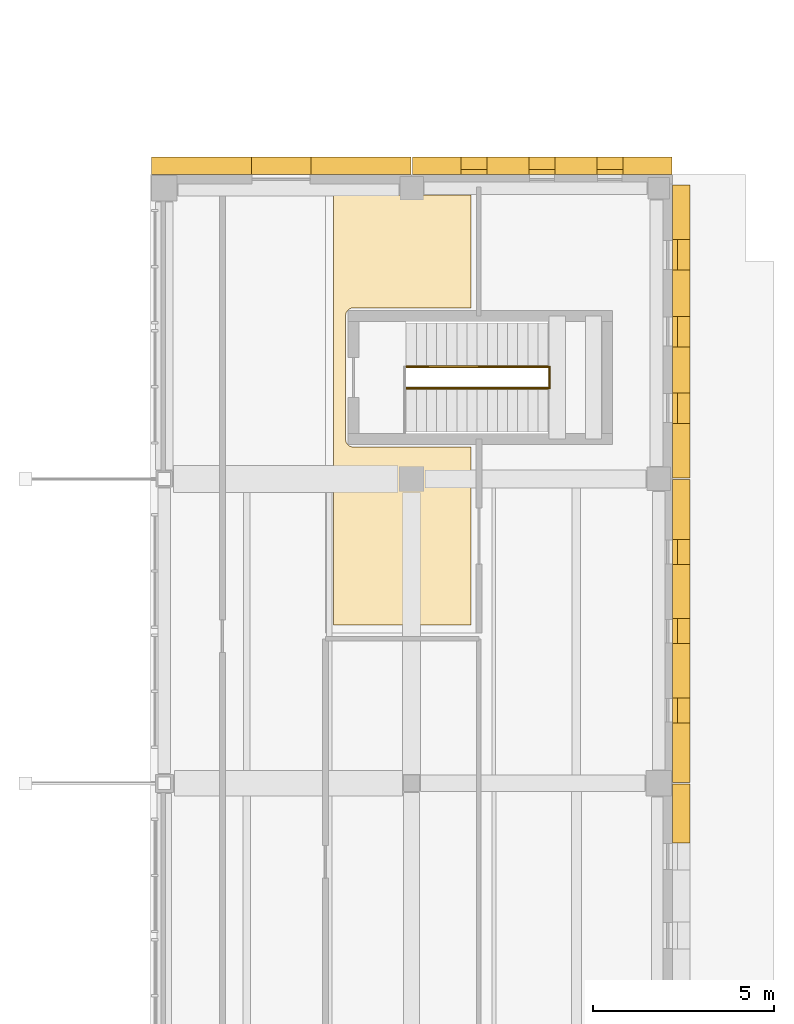
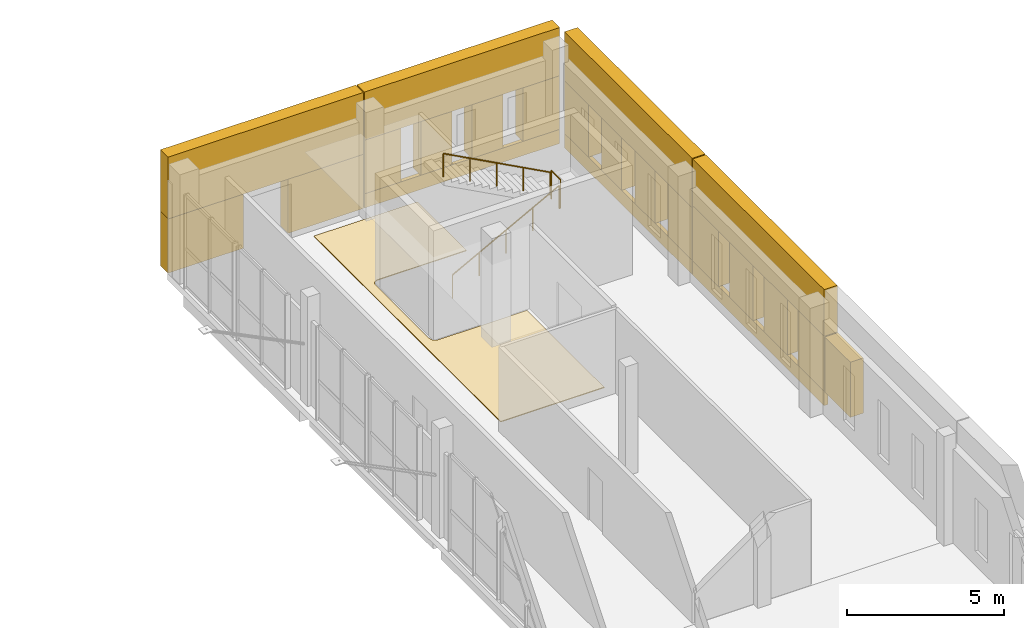
# One storey, part 77 of 77: 23 coverings, 3 railings.
"""IFC4 building model written with IfcOpenShell, lengths in metres."""

from ifc_helpers import new_model, si_unit, direction, frame, origin, origin_2d, place, context, subcontext, project, spatial, polyline, circle, outline, extrude, material, layer, layer_set, type_object, element, save


model = new_model("IFC4")

# Units and contexts
model_context = context("Model", 3, precision=1e-05, world=origin(), true_north=direction((0.0, 1.0)))
body_context = subcontext(model_context, "Body", "Model", "MODEL_VIEW")
ifc_project = project(units=[si_unit("LENGTHUNIT", "METRE"), si_unit("AREAUNIT", "SQUARE_METRE"), si_unit("VOLUMEUNIT", "CUBIC_METRE"), si_unit("PLANEANGLEUNIT", "RADIAN"), si_unit("MASSUNIT", "GRAM", prefix="KILO")], contexts=[model_context])

# Site, building, storey
site_placement = place(None, origin())
site = spatial("IfcSite", under=ifc_project, at=site_placement, CompositionType="ELEMENT")
building_placement = place(site_placement, origin())
building = spatial("IfcBuilding", under=site, at=building_placement, Name="Vardoun Plaza Health Centre", CompositionType="ELEMENT")
storey_placement = place(building_placement, origin())
storey = spatial("IfcBuildingStorey", under=building, at=storey_placement, Name="L00", CompositionType="ELEMENT", Elevation=0.0)

# Coverings
ifc_material_1 = material(Name="Pale Limestone Concrete C35/45", Category="masonry")
ifc_layer_1 = layer(ifc_material_1, 0.080078125)
ifc_layer_set_1 = layer_set([ifc_layer_1], Name="Pale Limestone Concrete C35/45")
covering_type_1 = type_object("IfcCoveringType", Name="CL-EXT1", PredefinedType="CLADDING", material=ifc_layer_set_1)
covering_1_placement = place(storey_placement, frame((0.0, 0.0, 2.10009765625)))
element("IfcCovering", 1, at=covering_1_placement, inside=storey, type_object=covering_type_1, Name="V6 L00 Sculpted Concrete Eyebrow Hood 1241", PredefinedType="CLADDING", context=body_context, shape_type="SweptSolid", body=[
    extrude(outline(polyline([(150.919921875, 86.699951171875), (158.080078125, 86.699951171875), (158.080078125, 87.179931640625), (150.919921875, 87.179931640625), (150.919921875, 86.699951171875)])), origin(), (0.0, 0.0, 1.0), 2.39990234375),
])
covering_2_placement = place(storey_placement, origin())
element("IfcCovering", 2, at=covering_2_placement, inside=storey, type_object=covering_type_1, Name="V6 L00 Deep-Punched Slot Concrete Reveal Pier 1242", PredefinedType="CLADDING", context=body_context, shape_type="SweptSolid", body=[
    extrude(outline(polyline([(150.919921875, 86.699951171875), (153.679931640625, 86.699951171875), (153.679931640625, 87.179931640625), (150.919921875, 87.179931640625), (150.919921875, 86.699951171875)])), origin(), (0.0, 0.0, 1.0), 2.10009765625),
])
covering_3_placement = place(storey_placement, origin())
element("IfcCovering", 3, at=covering_3_placement, inside=storey, type_object=covering_type_1, Name="V6 L00 Deep-Punched Slot Concrete Reveal Pier 1243", PredefinedType="CLADDING", context=body_context, shape_type="SweptSolid", body=[
    extrude(outline(polyline([(155.320068359375, 86.699951171875), (158.080078125, 86.699951171875), (158.080078125, 87.179931640625), (155.320068359375, 87.179931640625), (155.320068359375, 86.699951171875)])), origin(), (0.0, 0.0, 1.0), 2.10009765625),
])
covering_4_placement = place(storey_placement, origin())
element("IfcCovering", 4, at=covering_4_placement, inside=storey, type_object=covering_type_1, Name="V6 L00 Pale Concrete Sill Band 1244", PredefinedType="CLADDING", context=body_context, shape_type="SweptSolid", body=[
    extrude(outline(polyline([(158.1201171875, 86.699951171875), (165.280029296875, 86.699951171875), (165.280029296875, 86.840087890625), (158.1201171875, 86.840087890625), (158.1201171875, 86.699951171875)])), origin(), (0.0, 0.0, 1.0), 0.550048828125),
])
covering_5_placement = place(storey_placement, frame((0.0, 0.0, 2.6298828125)))
element("IfcCovering", 5, at=covering_5_placement, inside=storey, type_object=covering_type_1, Name="V6 L00 Sculpted Concrete Eyebrow Hood 1245", PredefinedType="CLADDING", context=body_context, shape_type="SweptSolid", body=[
    extrude(outline(polyline([(158.1201171875, 86.699951171875), (165.280029296875, 86.699951171875), (165.280029296875, 87.179931640625), (158.1201171875, 87.179931640625), (158.1201171875, 86.699951171875)])), origin(), (0.0, 0.0, 1.0), 1.8701171875),
])
covering_6_placement = place(storey_placement, frame((0.0, 0.0, 0.550048828125)))
element("IfcCovering", 6, at=covering_6_placement, inside=storey, type_object=covering_type_1, Name="V6 L00 Deep-Punched Slot Concrete Reveal Pier 1246", PredefinedType="CLADDING", context=body_context, shape_type="SweptSolid", body=[
    extrude(outline(polyline([(158.1201171875, 86.699951171875), (159.468017578125, 86.699951171875), (159.468017578125, 87.179931640625), (158.1201171875, 87.179931640625), (158.1201171875, 86.699951171875)])), origin(), (0.0, 0.0, 1.0), 2.079833984375),
])
covering_7_placement = place(storey_placement, frame((0.0, 0.0, 0.550048828125)))
element("IfcCovering", 7, at=covering_7_placement, inside=storey, type_object=covering_type_1, Name="V6 L00 Deep-Punched Slot Concrete Reveal Pier 1247", PredefinedType="CLADDING", context=body_context, shape_type="SweptSolid", body=[
    extrude(outline(polyline([(160.18798828125, 86.699951171875), (161.340087890625, 86.699951171875), (161.340087890625, 87.179931640625), (160.18798828125, 87.179931640625), (160.18798828125, 86.699951171875)])), origin(), (0.0, 0.0, 1.0), 2.079833984375),
])
covering_8_placement = place(storey_placement, frame((0.0, 0.0, 0.550048828125)))
element("IfcCovering", 8, at=covering_8_placement, inside=storey, type_object=covering_type_1, Name="V6 L00 Deep-Punched Slot Concrete Reveal Pier 1248", PredefinedType="CLADDING", context=body_context, shape_type="SweptSolid", body=[
    extrude(outline(polyline([(162.06005859375, 86.699951171875), (163.2119140625, 86.699951171875), (163.2119140625, 87.179931640625), (162.06005859375, 87.179931640625), (162.06005859375, 86.699951171875)])), origin(), (0.0, 0.0, 1.0), 2.079833984375),
])
covering_9_placement = place(storey_placement, frame((0.0, 0.0, 0.550048828125)))
element("IfcCovering", 9, at=covering_9_placement, inside=storey, type_object=covering_type_1, Name="V6 L00 Deep-Punched Slot Concrete Reveal Pier 1249", PredefinedType="CLADDING", context=body_context, shape_type="SweptSolid", body=[
    extrude(outline(polyline([(163.931884765625, 86.699951171875), (165.280029296875, 86.699951171875), (165.280029296875, 87.179931640625), (163.931884765625, 87.179931640625), (163.931884765625, 86.699951171875)])), origin(), (0.0, 0.0, 1.0), 2.079833984375),
])
covering_10_placement = place(storey_placement, origin())
element("IfcCovering", 10, at=covering_10_placement, inside=storey, type_object=covering_type_1, Name="V6 L00 Pale Concrete Sill Band 1250", PredefinedType="CLADDING", context=body_context, shape_type="SweptSolid", body=[
    extrude(outline(polyline([(165.300048828125, 86.4150390625), (165.300048828125, 78.320068359375), (165.43994140625, 78.320068359375), (165.43994140625, 86.4150390625), (165.300048828125, 86.4150390625)])), origin(), (0.0, 0.0, 1.0), 0.550048828125),
])
covering_11_placement = place(storey_placement, frame((0.0, 0.0, 2.590087890625)))
element("IfcCovering", 11, at=covering_11_placement, inside=storey, type_object=covering_type_1, Name="V6 L00 Sculpted Concrete Eyebrow Hood 1251", PredefinedType="CLADDING", context=body_context, shape_type="SweptSolid", body=[
    extrude(outline(polyline([(165.300048828125, 86.4150390625), (165.300048828125, 78.320068359375), (165.780029296875, 78.320068359375), (165.780029296875, 86.4150390625), (165.300048828125, 86.4150390625)])), origin(), (0.0, 0.0, 1.0), 1.909912109375),
])
covering_12_placement = place(storey_placement, frame((0.0, 0.0, 0.550048828125)))
element("IfcCovering", 12, at=covering_12_placement, inside=storey, type_object=covering_type_1, Name="V6 L00 Deep-Punched Slot Concrete Reveal Pier 1252", PredefinedType="CLADDING", context=body_context, shape_type="SweptSolid", body=[
    extrude(outline(polyline([(165.300048828125, 86.4150390625), (165.300048828125, 84.902587890625), (165.780029296875, 84.902587890625), (165.780029296875, 86.4150390625), (165.300048828125, 86.4150390625)])), origin(), (0.0, 0.0, 1.0), 2.0400390625),
])
covering_13_placement = place(storey_placement, frame((0.0, 0.0, 0.550048828125)))
element("IfcCovering", 13, at=covering_13_placement, inside=storey, type_object=covering_type_1, Name="V6 L00 Deep-Punched Slot Concrete Reveal Pier 1253", PredefinedType="CLADDING", context=body_context, shape_type="SweptSolid", body=[
    extrude(outline(polyline([(165.300048828125, 84.0625), (165.300048828125, 82.78759765625), (165.780029296875, 82.78759765625), (165.780029296875, 84.0625), (165.300048828125, 84.0625)])), origin(), (0.0, 0.0, 1.0), 2.0400390625),
])
covering_14_placement = place(storey_placement, frame((0.0, 0.0, 0.550048828125)))
element("IfcCovering", 14, at=covering_14_placement, inside=storey, type_object=covering_type_1, Name="V6 L00 Deep-Punched Slot Concrete Reveal Pier 1254", PredefinedType="CLADDING", context=body_context, shape_type="SweptSolid", body=[
    extrude(outline(polyline([(165.300048828125, 81.947509765625), (165.300048828125, 80.67236328125), (165.780029296875, 80.67236328125), (165.780029296875, 81.947509765625), (165.300048828125, 81.947509765625)])), origin(), (0.0, 0.0, 1.0), 2.0400390625),
])
covering_15_placement = place(storey_placement, frame((0.0, 0.0, 0.550048828125)))
element("IfcCovering", 15, at=covering_15_placement, inside=storey, type_object=covering_type_1, Name="V6 L00 Deep-Punched Slot Concrete Reveal Pier 1255", PredefinedType="CLADDING", context=body_context, shape_type="SweptSolid", body=[
    extrude(outline(polyline([(165.300048828125, 79.83251953125), (165.300048828125, 78.320068359375), (165.780029296875, 78.320068359375), (165.780029296875, 79.83251953125), (165.300048828125, 79.83251953125)])), origin(), (0.0, 0.0, 1.0), 2.0400390625),
])
covering_16_placement = place(storey_placement, origin())
element("IfcCovering", 16, at=covering_16_placement, inside=storey, type_object=covering_type_1, Name="V6 L00 Pale Concrete Sill Band 1256", PredefinedType="CLADDING", context=body_context, shape_type="SweptSolid", body=[
    extrude(outline(polyline([(165.300048828125, 78.280029296875), (165.300048828125, 69.919921875), (165.43994140625, 69.919921875), (165.43994140625, 78.280029296875), (165.300048828125, 78.280029296875)])), origin(), (0.0, 0.0, 1.0), 0.550048828125),
])
covering_17_placement = place(storey_placement, frame((0.0, 0.0, 2.68994140625)))
element("IfcCovering", 17, at=covering_17_placement, inside=storey, type_object=covering_type_1, Name="V6 L00 Sculpted Concrete Eyebrow Hood 1257", PredefinedType="CLADDING", context=body_context, shape_type="SweptSolid", body=[
    extrude(outline(polyline([(165.300048828125, 78.280029296875), (165.300048828125, 69.919921875), (165.780029296875, 69.919921875), (165.780029296875, 78.280029296875), (165.300048828125, 78.280029296875)])), origin(), (0.0, 0.0, 1.0), 1.81005859375),
])
covering_18_placement = place(storey_placement, frame((0.0, 0.0, 0.550048828125)))
element("IfcCovering", 18, at=covering_18_placement, inside=storey, type_object=covering_type_1, Name="V6 L00 Deep-Punched Slot Concrete Reveal Pier 1258", PredefinedType="CLADDING", context=body_context, shape_type="SweptSolid", body=[
    extrude(outline(polyline([(165.300048828125, 78.280029296875), (165.300048828125, 76.62890625), (165.780029296875, 76.62890625), (165.780029296875, 78.280029296875), (165.300048828125, 78.280029296875)])), origin(), (0.0, 0.0, 1.0), 2.139892578125),
])
covering_19_placement = place(storey_placement, frame((0.0, 0.0, 0.550048828125)))
element("IfcCovering", 19, at=covering_19_placement, inside=storey, type_object=covering_type_1, Name="V6 L00 Deep-Punched Slot Concrete Reveal Pier 1259", PredefinedType="CLADDING", context=body_context, shape_type="SweptSolid", body=[
    extrude(outline(polyline([(165.300048828125, 75.93896484375), (165.300048828125, 74.445068359375), (165.780029296875, 74.445068359375), (165.780029296875, 75.93896484375), (165.300048828125, 75.93896484375)])), origin(), (0.0, 0.0, 1.0), 2.139892578125),
])
covering_20_placement = place(storey_placement, frame((0.0, 0.0, 0.550048828125)))
element("IfcCovering", 20, at=covering_20_placement, inside=storey, type_object=covering_type_1, Name="V6 L00 Deep-Punched Slot Concrete Reveal Pier 1260", PredefinedType="CLADDING", context=body_context, shape_type="SweptSolid", body=[
    extrude(outline(polyline([(165.300048828125, 73.7548828125), (165.300048828125, 72.260986328125), (165.780029296875, 72.260986328125), (165.780029296875, 73.7548828125), (165.300048828125, 73.7548828125)])), origin(), (0.0, 0.0, 1.0), 2.139892578125),
])
covering_21_placement = place(storey_placement, frame((0.0, 0.0, 0.550048828125)))
element("IfcCovering", 21, at=covering_21_placement, inside=storey, type_object=covering_type_1, Name="V6 L00 Deep-Punched Slot Concrete Reveal Pier 1261", PredefinedType="CLADDING", context=body_context, shape_type="SweptSolid", body=[
    extrude(outline(polyline([(165.300048828125, 71.571044921875), (165.300048828125, 69.919921875), (165.780029296875, 69.919921875), (165.780029296875, 71.571044921875), (165.300048828125, 71.571044921875)])), origin(), (0.0, 0.0, 1.0), 2.139892578125),
])
covering_22_placement = place(storey_placement, frame((0.0, 0.0, 0.550048828125)))
element("IfcCovering", 22, at=covering_22_placement, inside=storey, type_object=covering_type_1, Name="V6 L00 Deep-Punched Slot Concrete Reveal Pier 1264", PredefinedType="CLADDING", context=body_context, shape_type="SweptSolid", body=[
    extrude(outline(polyline([(165.300048828125, 69.8798828125), (165.300048828125, 68.259033203125), (165.780029296875, 68.259033203125), (165.780029296875, 69.8798828125), (165.300048828125, 69.8798828125)])), origin(), (0.0, 0.0, 1.0), 2.139892578125),
])
ifc_material_2 = material(Name="Polished Lebanese Limestone Terrazzo", Category="masonry")
ifc_layer_2 = layer(ifc_material_2, 0.030029296875)
ifc_layer_set_2 = layer_set([ifc_layer_2], Name="Polished Lebanese Limestone Terrazzo")
covering_type_2 = type_object("IfcCoveringType", Name="FL-02", PredefinedType="FLOORING", material=ifc_layer_set_2)
covering_23_placement = place(storey_placement, origin())
element("IfcCovering", 23, at=covering_23_placement, inside=storey, type_object=covering_type_2, Name="Community Health Cafe Floor Finish", PredefinedType="FLOORING", context=body_context, shape_type="SweptSolid", body=[
    extrude(outline(polyline([(159.739990234375, 86.1298828125), (159.739990234375, 83.02001953125), (156.5, 83.02001953125), (156.478515625, 83.018798828125), (156.45703125, 83.015869140625), (156.43603515625, 83.010498046875), (156.415771484375, 83.00341796875), (156.396240234375, 82.993896484375), (156.377685546875, 82.98291015625), (156.3603515625, 82.97021484375), (156.344482421875, 82.95556640625), (156.329833984375, 82.939697265625), (156.317138671875, 82.922119140625), (156.305908203125, 82.90380859375), (156.296630859375, 82.88427734375), (156.28955078125, 82.864013671875), (156.2841796875, 82.843017578125), (156.281005859375, 82.821533203125), (156.280029296875, 82.800048828125), (156.280029296875, 79.39990234375), (156.281005859375, 79.37841796875), (156.2841796875, 79.357177734375), (156.28955078125, 79.336181640625), (156.296630859375, 79.31591796875), (156.305908203125, 79.29638671875), (156.317138671875, 79.27783203125), (156.329833984375, 79.260498046875), (156.344482421875, 79.244384765625), (156.3603515625, 79.22998046875), (156.377685546875, 79.217041015625), (156.396240234375, 79.2060546875), (156.415771484375, 79.19677734375), (156.43603515625, 79.189453125), (156.45703125, 79.18408203125), (156.478515625, 79.18115234375), (156.5, 79.179931640625), (159.739990234375, 79.179931640625), (159.739990234375, 74.264892578125), (155.93994140625, 74.264892578125), (155.93994140625, 86.1298828125), (159.739990234375, 86.1298828125)])), origin(), (0.0, 0.0, 1.0), 0.030029296875),
])

# Railings
ifc_material_3 = material(Name="Painted Steel S275JR Stair-Well Guardrail", Category="steel")
railing_type_1 = type_object("IfcRailingType", Name="GR-04", PredefinedType="GUARDRAIL", material=ifc_material_3)
railing_1_placement = place(storey_placement, frame((161.909912109375, 80.804931640625, 2.25)))
element("IfcRailing", 24, at=railing_1_placement, inside=storey, type_object=railing_type_1, Name="Stair ST-C11-L00 Mid-Landing Well Guard", PredefinedType="GUARDRAIL", context=body_context, shape_type="SweptSolid", body=[
    extrude(circle(Radius=0.02392578125, at=origin_2d()), frame((0.0, 0.0, 1.09619140625), z_axis=(0.0, 1.0, 0.0), x_axis=(-1.0, 0.0, 0.0)), (0.0, 0.0, 1.0), 0.590087890625),
    extrude(circle(Radius=0.02099609375, at=origin_2d()), origin(), (0.0, 0.0, 1.0), 1.072021484375),
    extrude(circle(Radius=0.02099609375, at=origin_2d()), frame((0.0, 0.590087890625, 0.0)), (0.0, 0.0, 1.0), 1.072021484375),
])
ifc_material_4 = material(Name="Brushed Stainless Steel Grade 316L", Category="steel")
railing_type_2 = type_object("IfcRailingType", Name="HR-01", PredefinedType="HANDRAIL", material=ifc_material_4)
railing_2_placement = place(storey_placement, frame((157.949951171875, 80.804931640625, 0.14990234375)))
element("IfcRailing", 25, at=railing_2_placement, inside=storey, type_object=railing_type_2, Name="Stair ST-C11-L00 Flight 1 Handrail", PredefinedType="HANDRAIL", context=body_context, shape_type="SweptSolid", body=[
    extrude(circle(Radius=0.02392578125, at=origin_2d()), frame((0.0, 0.0, 0.89599609375), z_axis=(0.881479153919, 0.0, 0.472222935917), x_axis=(0.0, 1.0, 0.0)), (0.0, 0.0, 1.0), 4.447265625),
    extrude(circle(Radius=0.02099609375, at=origin_2d()), origin(), (0.0, 0.0, 1.0), 0.871826171875),
    extrude(circle(Radius=0.02099609375, at=origin_2d()), frame((0.97998046875, 0.0, 0.52490234375)), (0.0, 0.0, 1.0), 0.871826171875),
    extrude(circle(Radius=0.02099609375, at=origin_2d()), frame((1.9599609375, 0.0, 1.050048828125)), (0.0, 0.0, 1.0), 0.871826171875),
    extrude(circle(Radius=0.02099609375, at=origin_2d()), frame((2.940185546875, 0.0, 1.5751953125)), (0.0, 0.0, 1.0), 0.871826171875),
    extrude(circle(Radius=0.02099609375, at=origin_2d()), frame((3.920166015625, 0.0, 2.10009765625)), (0.0, 0.0, 1.0), 0.871826171875),
])
railing_3_placement = place(storey_placement, frame((161.8701171875, 81.39501953125, 2.39990234375)))
element("IfcRailing", 26, at=railing_3_placement, inside=storey, type_object=railing_type_2, Name="Stair ST-C11-L00 Flight 2 Handrail", PredefinedType="HANDRAIL", context=body_context, shape_type="SweptSolid", body=[
    extrude(circle(Radius=0.02392578125, at=origin_2d()), frame((0.0, 0.0, 0.89599609375), z_axis=(-0.881479153919, 0.0, 0.472222935917), x_axis=(0.0, -1.0, 0.0)), (0.0, 0.0, 1.0), 4.447265625),
    extrude(circle(Radius=0.02099609375, at=origin_2d()), origin(), (0.0, 0.0, 1.0), 0.871826171875),
    extrude(circle(Radius=0.02099609375, at=origin_2d()), frame((-0.97998046875, 0.0, 0.52490234375)), (0.0, 0.0, 1.0), 0.871826171875),
    extrude(circle(Radius=0.02099609375, at=origin_2d()), frame((-1.9599609375, 0.0, 1.050048828125)), (0.0, 0.0, 1.0), 0.871826171875),
    extrude(circle(Radius=0.02099609375, at=origin_2d()), frame((-2.940185546875, 0.0, 1.5751953125)), (0.0, 0.0, 1.0), 0.871826171875),
    extrude(circle(Radius=0.02099609375, at=origin_2d()), frame((-3.920166015625, 0.0, 2.10009765625)), (0.0, 0.0, 1.0), 0.871826171875),
])

save(model, "model.ifc")
